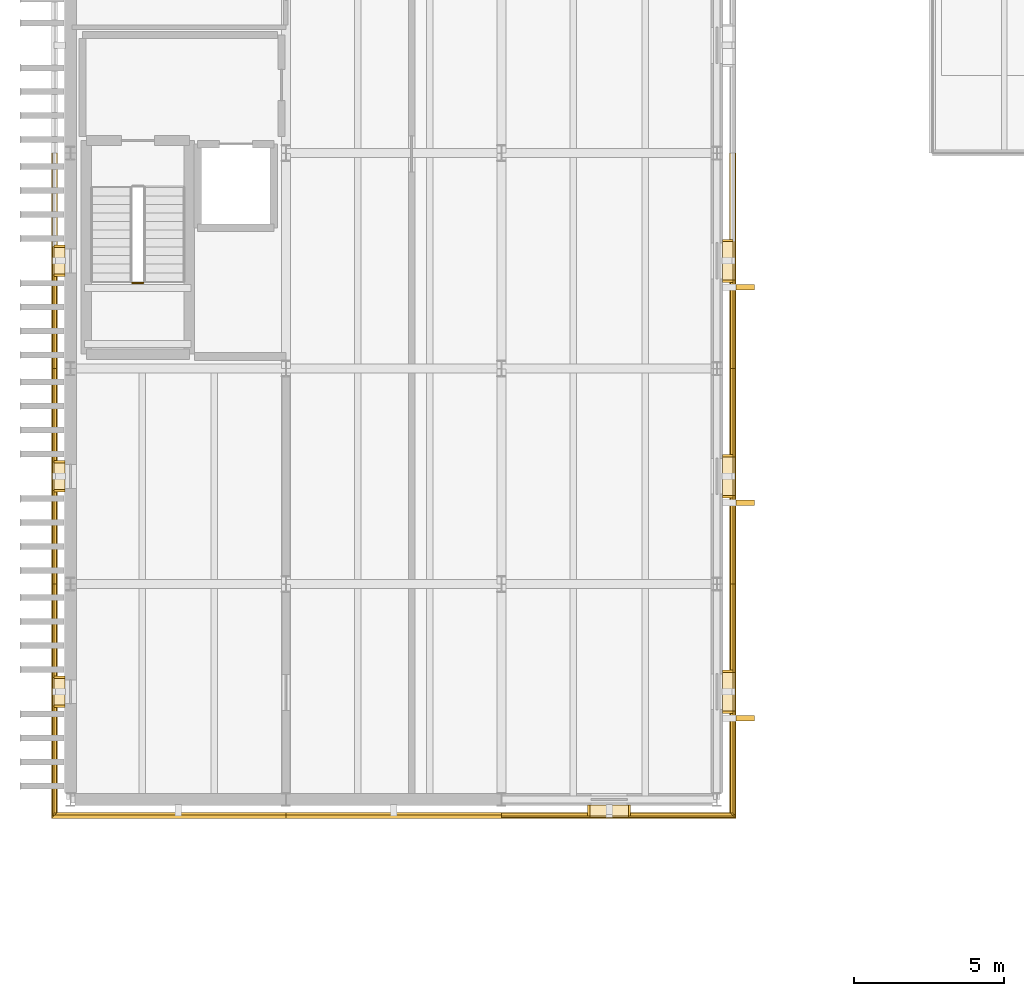
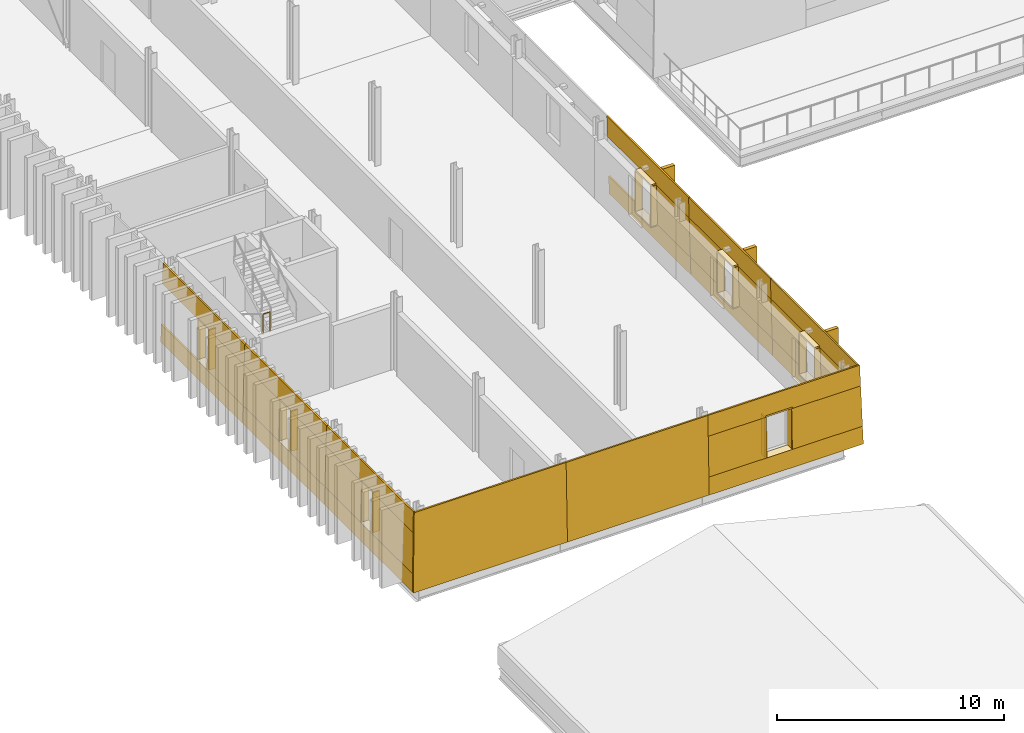
# One storey, part 75 of 91: 56 coverings, 3 shading devices, 1 railing.
"""IFC4 building model written with IfcOpenShell, lengths in metres."""

from ifc_helpers import new_model, si_unit, direction, frame, origin, origin_2d, place, context, subcontext, project, spatial, polyline, rectangle, circle, outline, extrude, material, layer, layer_set, type_object, element, save


model = new_model("IFC4")

# Units and contexts
model_context = context("Model", 3, precision=1e-05, world=origin(), true_north=direction((0.0, 1.0)))
body_context = subcontext(model_context, "Body", "Model", "MODEL_VIEW")
ifc_project = project(units=[si_unit("LENGTHUNIT", "METRE"), si_unit("AREAUNIT", "SQUARE_METRE"), si_unit("VOLUMEUNIT", "CUBIC_METRE"), si_unit("PLANEANGLEUNIT", "RADIAN"), si_unit("MASSUNIT", "GRAM", prefix="KILO")], contexts=[model_context])

# Site, building, storey
site_placement = place(None, origin())
site = spatial("IfcSite", under=ifc_project, at=site_placement, CompositionType="ELEMENT")
building_placement = place(site_placement, origin())
building = spatial("IfcBuilding", under=site, at=building_placement, Name="Narikvali Park Central Library", CompositionType="ELEMENT")
storey_placement = place(building_placement, frame((0.0, 0.0, 14.39990234375)))
storey = spatial("IfcBuildingStorey", under=building, at=storey_placement, Name="L03", CompositionType="ELEMENT", Elevation=14.39990234375)

# Coverings
ifc_material_1 = material(Name="White Honed Limestone Cladding", Category="masonry")
ifc_layer_1 = layer(ifc_material_1, 0.0849609375, Name="White Honed Limestone Cladding")
ifc_layer_set_1 = layer_set([ifc_layer_1], Name="White Honed Limestone Cladding")
covering_type_1 = type_object("IfcCoveringType", Name="Battered White Limestone Facade Cladding Panel", PredefinedType="CLADDING", material=ifc_layer_set_1)
covering_1_placement = place(storey_placement, frame((-0.631591796875, 28.16845703125, 0.0), z_axis=(0.0, -0.999597941913, 0.028354091819), x_axis=(1.0, 0.0, 0.0)))
element("IfcCovering", 1, at=covering_1_placement, inside=storey, type_object=covering_type_1, Name="V5 L03 S Battered Limestone Panel B01", PredefinedType="CLADDING", context=body_context, shape_type="SweptSolid", body=[
    extrude(outline(polyline([(0.0, 0.0), (7.83154296875, 0.0), (7.83154296875, 4.201884714229124), (0.119384765625, 4.201884714229124), (0.0, 0.0)])), origin(), (0.0, 0.0, -1.0), 0.0849609375),
])
covering_2_placement = place(storey_placement, frame((7.199951171875, 28.16845703125, 0.0), z_axis=(0.0, -0.999597941913, 0.028354091819), x_axis=(1.0, 0.0, 0.0)))
element("IfcCovering", 2, at=covering_2_placement, inside=storey, type_object=covering_type_1, Name="V5 L03 S Battered Limestone Panel B02", PredefinedType="CLADDING", context=body_context, shape_type="SweptSolid", body=[
    extrude(outline(polyline([(0.0, 0.0), (7.199951171875, 0.0), (7.199951171875, 4.201884714229124), (0.0, 4.201884714229124), (0.0, 0.0)])), origin(), (0.0, 0.0, -1.0), 0.0849609375),
])
covering_3_placement = place(storey_placement, frame((14.39990234375, 28.16845703125, 0.0), z_axis=(0.0, -0.999593551562, 0.028508449184), x_axis=(1.0, 0.0, 0.0)))
element("IfcCovering", 3, at=covering_3_placement, inside=storey, type_object=covering_type_1, Name="V5 L03 S Battered Limestone Spandrel B03", PredefinedType="CLADDING", context=body_context, shape_type="SweptSolid", body=[
    extrude(outline(polyline([(0.0, 0.0), (7.83154296875, 0.0), (7.8046875, 0.9505816749365887), (0.0, 0.9505816749365887), (0.0, 0.0)])), origin(), (0.0, 0.0, -1.0), 0.0849609375),
])
covering_4_placement = place(storey_placement, frame((14.39990234375, 28.256591796875, 3.10009765625), z_axis=(0.0, -0.999603049438, 0.028173454789), x_axis=(1.0, 0.0, 0.0)))
element("IfcCovering", 4, at=covering_4_placement, inside=storey, type_object=covering_type_1, Name="V5 L03 S Battered Limestone Lintel B03", PredefinedType="CLADDING", context=body_context, shape_type="SweptSolid", body=[
    extrude(outline(polyline([(0.0, 0.0), (7.74365234375, 0.0), (7.71240234375, 1.1005345140441192), (0.0, 1.1005345140441192), (0.0, 0.0)])), origin(), (0.0, 0.0, -1.0), 0.0849609375),
])
covering_5_placement = place(storey_placement, frame((14.39990234375, 28.195556640625, 0.9501953125), z_axis=(0.0, -0.99959725493, 0.028378300447), x_axis=(1.0, 0.0, 0.0)))
element("IfcCovering", 5, at=covering_5_placement, inside=storey, type_object=covering_type_1, Name="V5 L03 S Battered Limestone Jamb Pier L B03", PredefinedType="CLADDING", context=body_context, shape_type="SweptSolid", body=[
    extrude(outline(polyline([(0.0, 0.0), (2.960205078125, 0.0), (2.960205078125, 2.150768555182125), (0.0, 2.150768555182125), (0.0, 0.0)])), origin(), (0.0, 0.0, -1.0), 0.0849609375),
])
covering_6_placement = place(storey_placement, frame((18.639892578125, 28.195556640625, 0.9501953125), z_axis=(0.0, -0.99959725493, 0.028378300447), x_axis=(1.0, 0.0, 0.0)))
element("IfcCovering", 6, at=covering_6_placement, inside=storey, type_object=covering_type_1, Name="V5 L03 S Battered Limestone Jamb Pier R B03", PredefinedType="CLADDING", context=body_context, shape_type="SweptSolid", body=[
    extrude(outline(polyline([(0.0, 0.0), (3.564697265625, 0.0), (3.503662109375, 2.150768555182125), (0.0, 2.150768555182125), (0.0, 0.0)])), origin(), (0.0, 0.0, -1.0), 0.0849609375),
])
covering_7_placement = place(storey_placement, frame((22.2314453125, 28.25341796875, 0.0), z_axis=(0.999600837605, 0.0, 0.028251822234), x_axis=(0.0, 1.0, 0.0)))
element("IfcCovering", 7, at=covering_7_placement, inside=storey, type_object=covering_type_1, Name="V5 L03 E Battered Limestone Spandrel B01", PredefinedType="CLADDING", context=body_context, shape_type="SweptSolid", body=[
    extrude(outline(polyline([(0.0, 0.0), (7.74658203125, 0.0), (7.74658203125, 0.9505747461924049), (0.027099609375, 0.9505747461924049), (0.0, 0.0)])), origin(), (0.0, 0.0, -1.0), 0.0849609375),
])
covering_8_placement = place(storey_placement, frame((22.1435546875, 28.341552734375, 3.10009765625), z_axis=(0.999596777432, 0.0, 0.028395114849), x_axis=(0.0, 1.0, 0.0)))
element("IfcCovering", 8, at=covering_8_placement, inside=storey, type_object=covering_type_1, Name="V5 L03 E Battered Limestone Lintel B01", PredefinedType="CLADDING", context=body_context, shape_type="SweptSolid", body=[
    extrude(outline(polyline([(0.0, 0.0), (7.658447265625, 0.0), (7.658447265625, 1.1005414193871776), (0.03125, 1.1005414193871776), (0.0, 0.0)])), origin(), (0.0, 0.0, -1.0), 0.0849609375),
])
covering_9_placement = place(storey_placement, frame((22.20458984375, 28.280517578125, 0.9501953125), z_axis=(0.99959725493, 0.0, 0.028378300447), x_axis=(0.0, 1.0, 0.0)))
element("IfcCovering", 9, at=covering_9_placement, inside=storey, type_object=covering_type_1, Name="V5 L03 E Battered Limestone Jamb Pier L B01", PredefinedType="CLADDING", context=body_context, shape_type="SweptSolid", body=[
    extrude(outline(polyline([(0.0, 0.0), (3.4794921875, 0.0), (3.4794921875, 2.150768555182125), (0.06103515625, 2.150768555182125), (0.0, 0.0)])), origin(), (0.0, 0.0, -1.0), 0.0849609375),
])
covering_10_placement = place(storey_placement, frame((22.20458984375, 33.0400390625, 0.9501953125), z_axis=(0.99959725493, 0.0, 0.028378300447), x_axis=(0.0, 1.0, 0.0)))
element("IfcCovering", 10, at=covering_10_placement, inside=storey, type_object=covering_type_1, Name="V5 L03 E Battered Limestone Jamb Pier R B01", PredefinedType="CLADDING", context=body_context, shape_type="SweptSolid", body=[
    extrude(outline(polyline([(0.0, 0.0), (2.9599609375, 0.0), (2.9599609375, 2.150768555182125), (0.0, 2.150768555182125), (0.0, 0.0)])), origin(), (0.0, 0.0, -1.0), 0.0849609375),
])
covering_11_placement = place(storey_placement, frame((22.2314453125, 36.0, 0.0), z_axis=(0.999600837605, 0.0, 0.028251822234), x_axis=(0.0, 1.0, 0.0)))
element("IfcCovering", 11, at=covering_11_placement, inside=storey, type_object=covering_type_1, Name="V5 L03 E Battered Limestone Spandrel B02", PredefinedType="CLADDING", context=body_context, shape_type="SweptSolid", body=[
    extrude(outline(polyline([(0.0, 0.0), (7.199951171875, 0.0), (7.199951171875, 0.9505747461924048), (0.0, 0.9505747461924048), (0.0, 0.0)])), origin(), (0.0, 0.0, -1.0), 0.0849609375),
])
covering_12_placement = place(storey_placement, frame((22.1435546875, 36.0, 3.10009765625), z_axis=(0.999596777432, 0.0, 0.028395114849), x_axis=(0.0, 1.0, 0.0)))
element("IfcCovering", 12, at=covering_12_placement, inside=storey, type_object=covering_type_1, Name="V5 L03 E Battered Limestone Lintel B02", PredefinedType="CLADDING", context=body_context, shape_type="SweptSolid", body=[
    extrude(outline(polyline([(0.0, 0.0), (7.199951171875, 0.0), (7.199951171875, 1.1005414193871774), (0.0, 1.1005414193871774), (0.0, 0.0)])), origin(), (0.0, 0.0, -1.0), 0.0849609375),
])
for number, where, z_axis, x_axis, name in (
    (13, (22.20458984375, 36.0, 0.9501953125), (0.99959725493, 0.0, 0.028378300447), (0.0, 1.0, 0.0), "V5 L03 E Battered Limestone Jamb Pier L B02"),
    (14, (22.20458984375, 40.239990234375, 0.9501953125), (0.99959725493, 0.0, 0.028378300447), (0.0, 1.0, 0.0), "V5 L03 E Battered Limestone Jamb Pier R B02"),
):
    element("IfcCovering", number, at=place(storey_placement, frame(where, z_axis=z_axis, x_axis=x_axis)), inside=storey, type_object=covering_type_1, Name=name, PredefinedType="CLADDING", context=body_context, shape_type="SweptSolid", body=[
        extrude(outline(polyline([(0.0, 0.0), (2.9599609375, 0.0), (2.9599609375, 2.150768555182125), (0.0, 2.150768555182125), (0.0, 0.0)])), origin(), (0.0, 0.0, -1.0), 0.0849609375),
    ])
covering_13_placement = place(storey_placement, frame((22.2314453125, 43.199951171875, 0.0), z_axis=(0.999600837605, 0.0, 0.028251822234), x_axis=(0.0, 1.0, 0.0)))
element("IfcCovering", 15, at=covering_13_placement, inside=storey, type_object=covering_type_1, Name="V5 L03 E Battered Limestone Spandrel B03", PredefinedType="CLADDING", context=body_context, shape_type="SweptSolid", body=[
    extrude(outline(polyline([(0.0, 0.0), (7.199951171875, 0.0), (7.199951171875, 0.9505747461924048), (0.0, 0.9505747461924048), (0.0, 0.0)])), origin(), (0.0, 0.0, -1.0), 0.0849609375),
])
covering_14_placement = place(storey_placement, frame((22.1435546875, 43.199951171875, 3.10009765625), z_axis=(0.999596777432, 0.0, 0.028395114849), x_axis=(0.0, 1.0, 0.0)))
element("IfcCovering", 16, at=covering_14_placement, inside=storey, type_object=covering_type_1, Name="V5 L03 E Battered Limestone Lintel B03", PredefinedType="CLADDING", context=body_context, shape_type="SweptSolid", body=[
    extrude(outline(polyline([(0.0, 0.0), (7.199951171875, 0.0), (7.199951171875, 1.1005414193871774), (0.0, 1.1005414193871774), (0.0, 0.0)])), origin(), (0.0, 0.0, -1.0), 0.0849609375),
])
covering_15_placement = place(storey_placement, frame((22.20458984375, 43.199951171875, 0.9501953125), z_axis=(0.99959725493, 0.0, 0.028378300447), x_axis=(0.0, 1.0, 0.0)))
element("IfcCovering", 17, at=covering_15_placement, inside=storey, type_object=covering_type_1, Name="V5 L03 E Battered Limestone Jamb Pier L B03", PredefinedType="CLADDING", context=body_context, shape_type="SweptSolid", body=[
    extrude(outline(polyline([(0.0, 0.0), (2.9599609375, 0.0), (2.9599609375, 2.150768555182125), (0.0, 2.150768555182125), (0.0, 0.0)])), origin(), (0.0, 0.0, -1.0), 0.0849609375),
])
covering_16_placement = place(storey_placement, frame((-0.631591796875, 50.39990234375, 0.0), z_axis=(-0.999593551562, 0.0, 0.028508449184), x_axis=(0.0, -1.0, 0.0)))
element("IfcCovering", 18, at=covering_16_placement, inside=storey, type_object=covering_type_1, Name="V5 L03 W Battered Limestone Spandrel B09", PredefinedType="CLADDING", context=body_context, shape_type="SweptSolid", body=[
    extrude(outline(polyline([(0.0, 0.0), (7.199951171875, 0.0), (7.199951171875, 0.9505816749365887), (0.0, 0.9505816749365887), (0.0, 0.0)])), origin(), (0.0, 0.0, -1.0), 0.0849609375),
])
covering_17_placement = place(storey_placement, frame((-0.54345703125, 50.39990234375, 3.10009765625), z_axis=(-0.999596777432, 0.0, 0.028395114849), x_axis=(0.0, -1.0, 0.0)))
element("IfcCovering", 19, at=covering_17_placement, inside=storey, type_object=covering_type_1, Name="V5 L03 W Battered Limestone Lintel B09", PredefinedType="CLADDING", context=body_context, shape_type="SweptSolid", body=[
    extrude(outline(polyline([(0.0, 0.0), (7.199951171875, 0.0), (7.199951171875, 1.1005414193871774), (0.0, 1.1005414193871774), (0.0, 0.0)])), origin(), (0.0, 0.0, -1.0), 0.0849609375),
])
covering_18_placement = place(storey_placement, frame((-0.6044921875, 46.360107421875, 0.9501953125), z_axis=(-0.99959725493, 0.0, 0.028378300447), x_axis=(0.0, -1.0, 0.0)))
element("IfcCovering", 20, at=covering_18_placement, inside=storey, type_object=covering_type_1, Name="V5 L03 W Battered Limestone Jamb Pier R B09", PredefinedType="CLADDING", context=body_context, shape_type="SweptSolid", body=[
    extrude(outline(polyline([(0.0, 0.0), (3.16015625, 0.0), (3.16015625, 2.150768555182125), (0.0, 2.150768555182125), (0.0, 0.0)])), origin(), (0.0, 0.0, -1.0), 0.0849609375),
])
covering_19_placement = place(storey_placement, frame((-0.631591796875, 43.199951171875, 0.0), z_axis=(-0.999593551562, 0.0, 0.028508449184), x_axis=(0.0, -1.0, 0.0)))
element("IfcCovering", 21, at=covering_19_placement, inside=storey, type_object=covering_type_1, Name="V5 L03 W Battered Limestone Spandrel B10", PredefinedType="CLADDING", context=body_context, shape_type="SweptSolid", body=[
    extrude(outline(polyline([(0.0, 0.0), (7.199951171875, 0.0), (7.199951171875, 0.9505816749365887), (0.0, 0.9505816749365887), (0.0, 0.0)])), origin(), (0.0, 0.0, -1.0), 0.0849609375),
])
covering_20_placement = place(storey_placement, frame((-0.54345703125, 43.199951171875, 3.10009765625), z_axis=(-0.999596777432, 0.0, 0.028395114849), x_axis=(0.0, -1.0, 0.0)))
element("IfcCovering", 22, at=covering_20_placement, inside=storey, type_object=covering_type_1, Name="V5 L03 W Battered Limestone Lintel B10", PredefinedType="CLADDING", context=body_context, shape_type="SweptSolid", body=[
    extrude(outline(polyline([(0.0, 0.0), (7.199951171875, 0.0), (7.199951171875, 1.1005414193871774), (0.0, 1.1005414193871774), (0.0, 0.0)])), origin(), (0.0, 0.0, -1.0), 0.0849609375),
])
for number, where, z_axis, x_axis, name in (
    (23, (-0.6044921875, 43.199951171875, 0.9501953125), (-0.99959725493, 0.0, 0.028378300447), (0.0, -1.0, 0.0), "V5 L03 W Battered Limestone Jamb Pier L B10"),
    (24, (-0.6044921875, 39.159912109375, 0.9501953125), (-0.99959725493, 0.0, 0.028378300447), (0.0, -1.0, 0.0), "V5 L03 W Battered Limestone Jamb Pier R B10"),
):
    element("IfcCovering", number, at=place(storey_placement, frame(where, z_axis=z_axis, x_axis=x_axis)), inside=storey, type_object=covering_type_1, Name=name, PredefinedType="CLADDING", context=body_context, shape_type="SweptSolid", body=[
        extrude(outline(polyline([(0.0, 0.0), (3.159912109375, 0.0), (3.159912109375, 2.150768555182125), (0.0, 2.150768555182125), (0.0, 0.0)])), origin(), (0.0, 0.0, -1.0), 0.0849609375),
    ])
covering_21_placement = place(storey_placement, frame((-0.631591796875, 36.0, 0.0), z_axis=(-0.999593551562, 0.0, 0.028508449184), x_axis=(0.0, -1.0, 0.0)))
element("IfcCovering", 25, at=covering_21_placement, inside=storey, type_object=covering_type_1, Name="V5 L03 W Battered Limestone Spandrel B11", PredefinedType="CLADDING", context=body_context, shape_type="SweptSolid", body=[
    extrude(outline(polyline([(0.0, 0.0), (7.74658203125, 0.0), (7.719482421875, 0.9505816749365887), (0.0, 0.9505816749365887), (0.0, 0.0)])), origin(), (0.0, 0.0, -1.0), 0.0849609375),
])
covering_22_placement = place(storey_placement, frame((-0.54345703125, 36.0, 3.10009765625), z_axis=(-0.999596777432, 0.0, 0.028395114849), x_axis=(0.0, -1.0, 0.0)))
element("IfcCovering", 26, at=covering_22_placement, inside=storey, type_object=covering_type_1, Name="V5 L03 W Battered Limestone Lintel B11", PredefinedType="CLADDING", context=body_context, shape_type="SweptSolid", body=[
    extrude(outline(polyline([(0.0, 0.0), (7.658447265625, 0.0), (7.627197265625, 1.1005414193871776), (0.0, 1.1005414193871776), (0.0, 0.0)])), origin(), (0.0, 0.0, -1.0), 0.0849609375),
])
covering_23_placement = place(storey_placement, frame((-0.6044921875, 36.0, 0.9501953125), z_axis=(-0.99959725493, 0.0, 0.028378300447), x_axis=(0.0, -1.0, 0.0)))
element("IfcCovering", 27, at=covering_23_placement, inside=storey, type_object=covering_type_1, Name="V5 L03 W Battered Limestone Jamb Pier L B11", PredefinedType="CLADDING", context=body_context, shape_type="SweptSolid", body=[
    extrude(outline(polyline([(0.0, 0.0), (3.159912109375, 0.0), (3.159912109375, 2.150768555182125), (0.0, 2.150768555182125), (0.0, 0.0)])), origin(), (0.0, 0.0, -1.0), 0.0849609375),
])
covering_24_placement = place(storey_placement, frame((-0.6044921875, 31.9599609375, 0.9501953125), z_axis=(-0.99959725493, 0.0, 0.028378300447), x_axis=(0.0, -1.0, 0.0)))
element("IfcCovering", 28, at=covering_24_placement, inside=storey, type_object=covering_type_1, Name="V5 L03 W Battered Limestone Jamb Pier R B11", PredefinedType="CLADDING", context=body_context, shape_type="SweptSolid", body=[
    extrude(outline(polyline([(0.0, 0.0), (3.679443359375, 0.0), (3.618408203125, 2.150768555182125), (0.0, 2.150768555182125), (0.0, 0.0)])), origin(), (0.0, 0.0, -1.0), 0.0849609375),
])
ifc_layer_2 = layer(ifc_material_1, 0.080078125, Name="White Honed Limestone Cladding")
ifc_layer_set_2 = layer_set([ifc_layer_2], Name="White Honed Limestone Cladding")
covering_type_2 = type_object("IfcCoveringType", Name="Deep Carved White Limestone Window Reveal", PredefinedType="CLADDING", material=ifc_layer_set_2)
covering_25_placement = place(storey_placement, frame((0.0, 0.0, 3.10009765625)))
element("IfcCovering", 29, at=covering_25_placement, inside=storey, type_object=covering_type_2, Name="Deep Stone Reveal Head V5-RVL-L03-S-B03", PredefinedType="CLADDING", context=body_context, shape_type="SweptSolid", body=[
    extrude(outline(polyline([(17.320068359375, 28.614990234375), (18.679931640625, 28.614990234375), (18.679931640625, 28.256591796875), (17.320068359375, 28.256591796875), (17.320068359375, 28.614990234375)])), origin(), (0.0, 0.0, 1.0), 0.080078125),
])
covering_26_placement = place(storey_placement, frame((0.0, 0.0, 0.8701171875)))
element("IfcCovering", 30, at=covering_26_placement, inside=storey, type_object=covering_type_2, Name="Deep Stone Reveal Sill V5-RVL-L03-S-B03", PredefinedType="CLADDING", context=body_context, shape_type="SweptSolid", body=[
    extrude(outline(polyline([(17.320068359375, 28.614990234375), (18.679931640625, 28.614990234375), (18.679931640625, 28.195556640625), (17.320068359375, 28.195556640625), (17.320068359375, 28.614990234375)])), origin(), (0.0, 0.0, 1.0), 0.080078125),
])
covering_27_placement = place(storey_placement, frame((0.0, 0.0, 0.9501953125)))
element("IfcCovering", 31, at=covering_27_placement, inside=storey, type_object=covering_type_2, Name="Deep Stone Reveal Jamb L V5-RVL-L03-S-B03", PredefinedType="CLADDING", context=body_context, shape_type="SweptSolid", body=[
    extrude(outline(polyline([(17.280029296875, 28.614990234375), (17.360107421875, 28.614990234375), (17.360107421875, 28.256591796875), (17.280029296875, 28.256591796875), (17.280029296875, 28.614990234375)])), origin(), (0.0, 0.0, 1.0), 2.14990234375),
])
covering_28_placement = place(storey_placement, frame((0.0, 0.0, 0.9501953125)))
element("IfcCovering", 32, at=covering_28_placement, inside=storey, type_object=covering_type_2, Name="Deep Stone Reveal Jamb R V5-RVL-L03-S-B03", PredefinedType="CLADDING", context=body_context, shape_type="SweptSolid", body=[
    extrude(outline(polyline([(18.639892578125, 28.614990234375), (18.719970703125, 28.614990234375), (18.719970703125, 28.256591796875), (18.639892578125, 28.256591796875), (18.639892578125, 28.614990234375)])), origin(), (0.0, 0.0, 1.0), 2.14990234375),
])
covering_29_placement = place(storey_placement, frame((0.0, 0.0, 3.10009765625)))
element("IfcCovering", 33, at=covering_29_placement, inside=storey, type_object=covering_type_2, Name="Deep Stone Reveal Head V5-RVL-L03-E-B01", PredefinedType="CLADDING", context=body_context, shape_type="SweptSolid", body=[
    extrude(outline(polyline([(21.784912109375, 31.719970703125), (21.784912109375, 33.080078125), (22.1435546875, 33.080078125), (22.1435546875, 31.719970703125), (21.784912109375, 31.719970703125)])), origin(), (0.0, 0.0, 1.0), 0.080078125),
])
covering_30_placement = place(storey_placement, frame((0.0, 0.0, 0.8701171875)))
element("IfcCovering", 34, at=covering_30_placement, inside=storey, type_object=covering_type_2, Name="Deep Stone Reveal Sill V5-RVL-L03-E-B01", PredefinedType="CLADDING", context=body_context, shape_type="SweptSolid", body=[
    extrude(outline(polyline([(21.784912109375, 31.719970703125), (21.784912109375, 33.080078125), (22.20458984375, 33.080078125), (22.20458984375, 31.719970703125), (21.784912109375, 31.719970703125)])), origin(), (0.0, 0.0, 1.0), 0.080078125),
])
covering_31_placement = place(storey_placement, frame((0.0, 0.0, 0.9501953125)))
element("IfcCovering", 35, at=covering_31_placement, inside=storey, type_object=covering_type_2, Name="Deep Stone Reveal Jamb L V5-RVL-L03-E-B01", PredefinedType="CLADDING", context=body_context, shape_type="SweptSolid", body=[
    extrude(outline(polyline([(21.784912109375, 31.679931640625), (21.784912109375, 31.760009765625), (22.1435546875, 31.760009765625), (22.1435546875, 31.679931640625), (21.784912109375, 31.679931640625)])), origin(), (0.0, 0.0, 1.0), 2.14990234375),
])
covering_32_placement = place(storey_placement, frame((0.0, 0.0, 0.9501953125)))
element("IfcCovering", 36, at=covering_32_placement, inside=storey, type_object=covering_type_2, Name="Deep Stone Reveal Jamb R V5-RVL-L03-E-B01", PredefinedType="CLADDING", context=body_context, shape_type="SweptSolid", body=[
    extrude(outline(polyline([(21.784912109375, 33.0400390625), (21.784912109375, 33.1201171875), (22.1435546875, 33.1201171875), (22.1435546875, 33.0400390625), (21.784912109375, 33.0400390625)])), origin(), (0.0, 0.0, 1.0), 2.14990234375),
])
covering_33_placement = place(storey_placement, frame((0.0, 0.0, 3.10009765625)))
element("IfcCovering", 37, at=covering_33_placement, inside=storey, type_object=covering_type_2, Name="Deep Stone Reveal Head V5-RVL-L03-E-B02", PredefinedType="CLADDING", context=body_context, shape_type="SweptSolid", body=[
    extrude(outline(polyline([(21.784912109375, 38.919921875), (21.784912109375, 40.280029296875), (22.1435546875, 40.280029296875), (22.1435546875, 38.919921875), (21.784912109375, 38.919921875)])), origin(), (0.0, 0.0, 1.0), 0.080078125),
])
covering_34_placement = place(storey_placement, frame((0.0, 0.0, 0.8701171875)))
element("IfcCovering", 38, at=covering_34_placement, inside=storey, type_object=covering_type_2, Name="Deep Stone Reveal Sill V5-RVL-L03-E-B02", PredefinedType="CLADDING", context=body_context, shape_type="SweptSolid", body=[
    extrude(outline(polyline([(21.784912109375, 38.919921875), (21.784912109375, 40.280029296875), (22.20458984375, 40.280029296875), (22.20458984375, 38.919921875), (21.784912109375, 38.919921875)])), origin(), (0.0, 0.0, 1.0), 0.080078125),
])
covering_35_placement = place(storey_placement, frame((0.0, 0.0, 0.9501953125)))
element("IfcCovering", 39, at=covering_35_placement, inside=storey, type_object=covering_type_2, Name="Deep Stone Reveal Jamb L V5-RVL-L03-E-B02", PredefinedType="CLADDING", context=body_context, shape_type="SweptSolid", body=[
    extrude(outline(polyline([(21.784912109375, 38.8798828125), (21.784912109375, 38.9599609375), (22.1435546875, 38.9599609375), (22.1435546875, 38.8798828125), (21.784912109375, 38.8798828125)])), origin(), (0.0, 0.0, 1.0), 2.14990234375),
])
covering_36_placement = place(storey_placement, frame((0.0, 0.0, 0.9501953125)))
element("IfcCovering", 40, at=covering_36_placement, inside=storey, type_object=covering_type_2, Name="Deep Stone Reveal Jamb R V5-RVL-L03-E-B02", PredefinedType="CLADDING", context=body_context, shape_type="SweptSolid", body=[
    extrude(outline(polyline([(21.784912109375, 40.239990234375), (21.784912109375, 40.320068359375), (22.1435546875, 40.320068359375), (22.1435546875, 40.239990234375), (21.784912109375, 40.239990234375)])), origin(), (0.0, 0.0, 1.0), 2.14990234375),
])
covering_37_placement = place(storey_placement, frame((0.0, 0.0, 3.10009765625)))
element("IfcCovering", 41, at=covering_37_placement, inside=storey, type_object=covering_type_2, Name="Deep Stone Reveal Head V5-RVL-L03-E-B03", PredefinedType="CLADDING", context=body_context, shape_type="SweptSolid", body=[
    extrude(outline(polyline([(21.784912109375, 46.1201171875), (21.784912109375, 47.47998046875), (22.1435546875, 47.47998046875), (22.1435546875, 46.1201171875), (21.784912109375, 46.1201171875)])), origin(), (0.0, 0.0, 1.0), 0.080078125),
])
covering_38_placement = place(storey_placement, frame((0.0, 0.0, 0.8701171875)))
element("IfcCovering", 42, at=covering_38_placement, inside=storey, type_object=covering_type_2, Name="Deep Stone Reveal Sill V5-RVL-L03-E-B03", PredefinedType="CLADDING", context=body_context, shape_type="SweptSolid", body=[
    extrude(outline(polyline([(21.784912109375, 46.1201171875), (21.784912109375, 47.47998046875), (22.20458984375, 47.47998046875), (22.20458984375, 46.1201171875), (21.784912109375, 46.1201171875)])), origin(), (0.0, 0.0, 1.0), 0.080078125),
])
covering_39_placement = place(storey_placement, frame((0.0, 0.0, 0.9501953125)))
element("IfcCovering", 43, at=covering_39_placement, inside=storey, type_object=covering_type_2, Name="Deep Stone Reveal Jamb L V5-RVL-L03-E-B03", PredefinedType="CLADDING", context=body_context, shape_type="SweptSolid", body=[
    extrude(outline(polyline([(21.784912109375, 46.080078125), (21.784912109375, 46.159912109375), (22.1435546875, 46.159912109375), (22.1435546875, 46.080078125), (21.784912109375, 46.080078125)])), origin(), (0.0, 0.0, 1.0), 2.14990234375),
])
covering_40_placement = place(storey_placement, frame((0.0, 0.0, 0.9501953125)))
element("IfcCovering", 44, at=covering_40_placement, inside=storey, type_object=covering_type_2, Name="Deep Stone Reveal Jamb R V5-RVL-L03-E-B03", PredefinedType="CLADDING", context=body_context, shape_type="SweptSolid", body=[
    extrude(outline(polyline([(21.784912109375, 47.43994140625), (21.784912109375, 47.52001953125), (22.1435546875, 47.52001953125), (22.1435546875, 47.43994140625), (21.784912109375, 47.43994140625)])), origin(), (0.0, 0.0, 1.0), 2.14990234375),
])
covering_41_placement = place(storey_placement, frame((0.0, 0.0, 3.10009765625)))
element("IfcCovering", 45, at=covering_41_placement, inside=storey, type_object=covering_type_2, Name="Deep Stone Reveal Head V5-RVL-L03-W-B09", PredefinedType="CLADDING", context=body_context, shape_type="SweptSolid", body=[
    extrude(outline(polyline([(-0.18505859375, 47.280029296875), (-0.18505859375, 46.320068359375), (-0.54345703125, 46.320068359375), (-0.54345703125, 47.280029296875), (-0.18505859375, 47.280029296875)])), origin(), (0.0, 0.0, 1.0), 0.080078125),
])
covering_42_placement = place(storey_placement, frame((0.0, 0.0, 0.8701171875)))
element("IfcCovering", 46, at=covering_42_placement, inside=storey, type_object=covering_type_2, Name="Deep Stone Reveal Sill V5-RVL-L03-W-B09", PredefinedType="CLADDING", context=body_context, shape_type="SweptSolid", body=[
    extrude(outline(polyline([(-0.18505859375, 47.280029296875), (-0.18505859375, 46.320068359375), (-0.6044921875, 46.320068359375), (-0.6044921875, 47.280029296875), (-0.18505859375, 47.280029296875)])), origin(), (0.0, 0.0, 1.0), 0.080078125),
])
covering_43_placement = place(storey_placement, frame((0.0, 0.0, 0.9501953125)))
element("IfcCovering", 47, at=covering_43_placement, inside=storey, type_object=covering_type_2, Name="Deep Stone Reveal Jamb L V5-RVL-L03-W-B09", PredefinedType="CLADDING", context=body_context, shape_type="SweptSolid", body=[
    extrude(outline(polyline([(-0.18505859375, 47.320068359375), (-0.18505859375, 47.239990234375), (-0.54345703125, 47.239990234375), (-0.54345703125, 47.320068359375), (-0.18505859375, 47.320068359375)])), origin(), (0.0, 0.0, 1.0), 2.14990234375),
])
covering_44_placement = place(storey_placement, frame((0.0, 0.0, 0.9501953125)))
element("IfcCovering", 48, at=covering_44_placement, inside=storey, type_object=covering_type_2, Name="Deep Stone Reveal Jamb R V5-RVL-L03-W-B09", PredefinedType="CLADDING", context=body_context, shape_type="SweptSolid", body=[
    extrude(outline(polyline([(-0.18505859375, 46.360107421875), (-0.18505859375, 46.280029296875), (-0.54345703125, 46.280029296875), (-0.54345703125, 46.360107421875), (-0.18505859375, 46.360107421875)])), origin(), (0.0, 0.0, 1.0), 2.14990234375),
])
covering_45_placement = place(storey_placement, frame((0.0, 0.0, 3.10009765625)))
element("IfcCovering", 49, at=covering_45_placement, inside=storey, type_object=covering_type_2, Name="Deep Stone Reveal Head V5-RVL-L03-W-B10", PredefinedType="CLADDING", context=body_context, shape_type="SweptSolid", body=[
    extrude(outline(polyline([(-0.18505859375, 40.080078125), (-0.18505859375, 39.1201171875), (-0.54345703125, 39.1201171875), (-0.54345703125, 40.080078125), (-0.18505859375, 40.080078125)])), origin(), (0.0, 0.0, 1.0), 0.080078125),
])
covering_46_placement = place(storey_placement, frame((0.0, 0.0, 0.8701171875)))
element("IfcCovering", 50, at=covering_46_placement, inside=storey, type_object=covering_type_2, Name="Deep Stone Reveal Sill V5-RVL-L03-W-B10", PredefinedType="CLADDING", context=body_context, shape_type="SweptSolid", body=[
    extrude(outline(polyline([(-0.18505859375, 40.080078125), (-0.18505859375, 39.1201171875), (-0.6044921875, 39.1201171875), (-0.6044921875, 40.080078125), (-0.18505859375, 40.080078125)])), origin(), (0.0, 0.0, 1.0), 0.080078125),
])
covering_47_placement = place(storey_placement, frame((0.0, 0.0, 0.9501953125)))
element("IfcCovering", 51, at=covering_47_placement, inside=storey, type_object=covering_type_2, Name="Deep Stone Reveal Jamb L V5-RVL-L03-W-B10", PredefinedType="CLADDING", context=body_context, shape_type="SweptSolid", body=[
    extrude(outline(polyline([(-0.18505859375, 40.1201171875), (-0.18505859375, 40.0400390625), (-0.54345703125, 40.0400390625), (-0.54345703125, 40.1201171875), (-0.18505859375, 40.1201171875)])), origin(), (0.0, 0.0, 1.0), 2.14990234375),
])
covering_48_placement = place(storey_placement, frame((0.0, 0.0, 0.9501953125)))
element("IfcCovering", 52, at=covering_48_placement, inside=storey, type_object=covering_type_2, Name="Deep Stone Reveal Jamb R V5-RVL-L03-W-B10", PredefinedType="CLADDING", context=body_context, shape_type="SweptSolid", body=[
    extrude(outline(polyline([(-0.18505859375, 39.159912109375), (-0.18505859375, 39.080078125), (-0.54345703125, 39.080078125), (-0.54345703125, 39.159912109375), (-0.18505859375, 39.159912109375)])), origin(), (0.0, 0.0, 1.0), 2.14990234375),
])
covering_49_placement = place(storey_placement, frame((0.0, 0.0, 3.10009765625)))
element("IfcCovering", 53, at=covering_49_placement, inside=storey, type_object=covering_type_2, Name="Deep Stone Reveal Head V5-RVL-L03-W-B11", PredefinedType="CLADDING", context=body_context, shape_type="SweptSolid", body=[
    extrude(outline(polyline([(-0.18505859375, 32.8798828125), (-0.18505859375, 31.919921875), (-0.54345703125, 31.919921875), (-0.54345703125, 32.8798828125), (-0.18505859375, 32.8798828125)])), origin(), (0.0, 0.0, 1.0), 0.080078125),
])
covering_50_placement = place(storey_placement, frame((0.0, 0.0, 0.8701171875)))
element("IfcCovering", 54, at=covering_50_placement, inside=storey, type_object=covering_type_2, Name="Deep Stone Reveal Sill V5-RVL-L03-W-B11", PredefinedType="CLADDING", context=body_context, shape_type="SweptSolid", body=[
    extrude(outline(polyline([(-0.18505859375, 32.8798828125), (-0.18505859375, 31.919921875), (-0.6044921875, 31.919921875), (-0.6044921875, 32.8798828125), (-0.18505859375, 32.8798828125)])), origin(), (0.0, 0.0, 1.0), 0.080078125),
])
covering_51_placement = place(storey_placement, frame((0.0, 0.0, 0.9501953125)))
element("IfcCovering", 55, at=covering_51_placement, inside=storey, type_object=covering_type_2, Name="Deep Stone Reveal Jamb L V5-RVL-L03-W-B11", PredefinedType="CLADDING", context=body_context, shape_type="SweptSolid", body=[
    extrude(outline(polyline([(-0.18505859375, 32.919921875), (-0.18505859375, 32.840087890625), (-0.54345703125, 32.840087890625), (-0.54345703125, 32.919921875), (-0.18505859375, 32.919921875)])), origin(), (0.0, 0.0, 1.0), 2.14990234375),
])
covering_52_placement = place(storey_placement, frame((0.0, 0.0, 0.9501953125)))
element("IfcCovering", 56, at=covering_52_placement, inside=storey, type_object=covering_type_2, Name="Deep Stone Reveal Jamb R V5-RVL-L03-W-B11", PredefinedType="CLADDING", context=body_context, shape_type="SweptSolid", body=[
    extrude(outline(polyline([(-0.18505859375, 31.9599609375), (-0.18505859375, 31.8798828125), (-0.54345703125, 31.8798828125), (-0.54345703125, 31.9599609375), (-0.18505859375, 31.9599609375)])), origin(), (0.0, 0.0, 1.0), 2.14990234375),
])

# Railing
ifc_material_2 = material(Name="Powder-Coated Steel S275", Category="steel")
ifc_layer_3 = layer(ifc_material_2, 0.050048828125, Name="Powder-Coated Steel S275")
ifc_layer_set_3 = layer_set([ifc_layer_3], Name="Powder-Coated Steel S275")
railing_type = type_object("IfcRailingType", Name="Stair Well Steel Guardrail 1100", PredefinedType="GUARDRAIL", material=ifc_layer_set_3)
railing_placement = place(storey_placement, frame((2.070068359375, 46.06494140625, 2.10009765625)))
element("IfcRailing", 57, at=railing_placement, inside=storey, type_object=railing_type, Name="L03 ST-09 stair guard 2", PredefinedType="GUARDRAIL", context=body_context, shape_type="SweptSolid", body=[
    extrude(circle(Radius=0.02392578125, at=origin_2d()), frame((0.0, 0.0, 1.076171875), z_axis=(1.0, 0.0, 0.0), x_axis=(0.0, 1.0, 0.0)), (0.0, 0.0, 1.0), 0.35986328125),
    extrude(circle(Radius=0.02099609375, at=origin_2d()), origin(), (0.0, 0.0, 1.0), 1.052001953125),
    extrude(circle(Radius=0.02099609375, at=origin_2d()), frame((0.35986328125, 0.0, 0.0)), (0.0, 0.0, 1.0), 1.052001953125),
])

# Shading devices
ifc_material_3 = material(Name="Kiln-Fired Terracotta Red Brick", Category="masonry")
ifc_layer_4 = layer(ifc_material_3, 0.179931640625, Name="Kiln-Fired Terracotta Red Brick")
ifc_layer_set_4 = layer_set([ifc_layer_4], Name="Kiln-Fired Terracotta Red Brick")
shading_device_type = type_object("IfcShadingDeviceType", Name="Terracotta Red Brick Vertical Sun Fin 620x180", PredefinedType="JALOUSIE", material=ifc_layer_set_4)
for number, where, z_axis, x_axis, name in (
    (58, (22.54345703125, 31.52001953125, 0.150146484375), (0.0, 0.0, 1.0), (1.0, 0.0, 0.0), "West Stacks Red Brick Sun Louver 004"),
    (59, (22.54345703125, 38.719970703125, 0.150146484375), (0.0, 0.0, 1.0), (1.0, 0.0, 0.0), "West Stacks Red Brick Sun Louver 008"),
    (60, (22.54345703125, 45.919921875, 0.150146484375), (0.0, 0.0, 1.0), (1.0, 0.0, 0.0), "West Stacks Red Brick Sun Louver 012"),
):
    element("IfcShadingDevice", number, at=place(storey_placement, frame(where, z_axis=z_axis, x_axis=x_axis)), inside=storey, type_object=shading_device_type, Name=name, PredefinedType="JALOUSIE", context=body_context, shape_type="SweptSolid", body=[
        extrude(rectangle(XDim=0.6201171875, YDim=0.179931640625, at=origin_2d()), origin(), (0.0, 0.0, 1.0), 3.89990234375),
    ])

save(model, "model.ifc")
